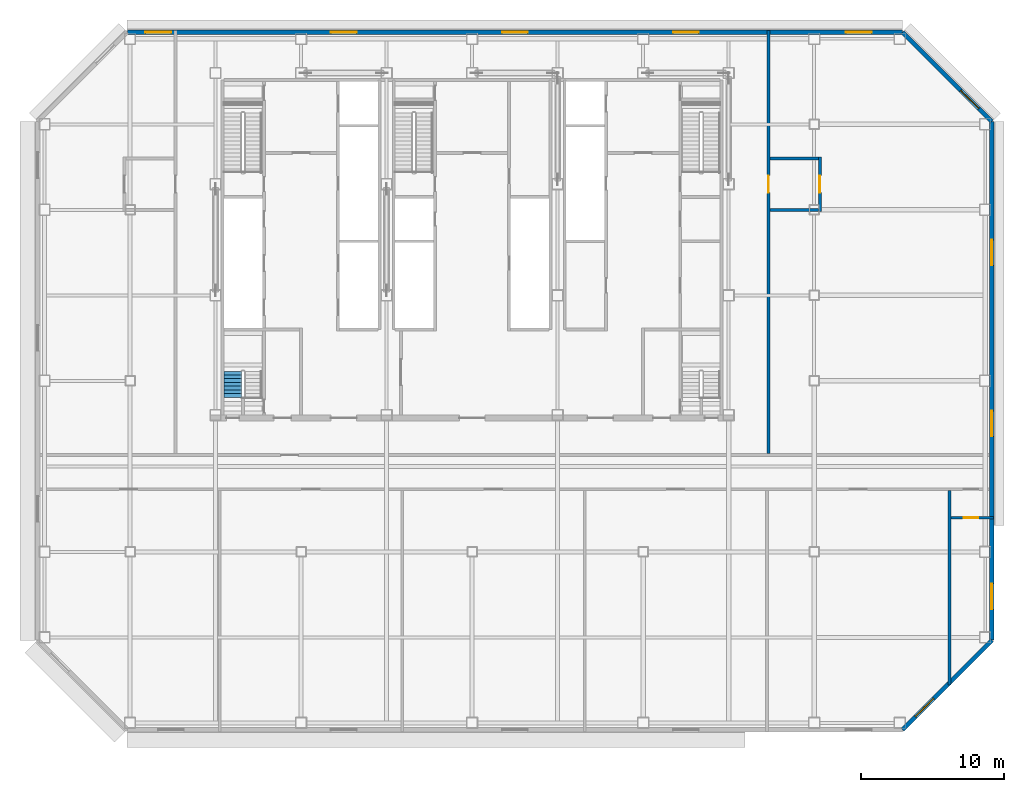
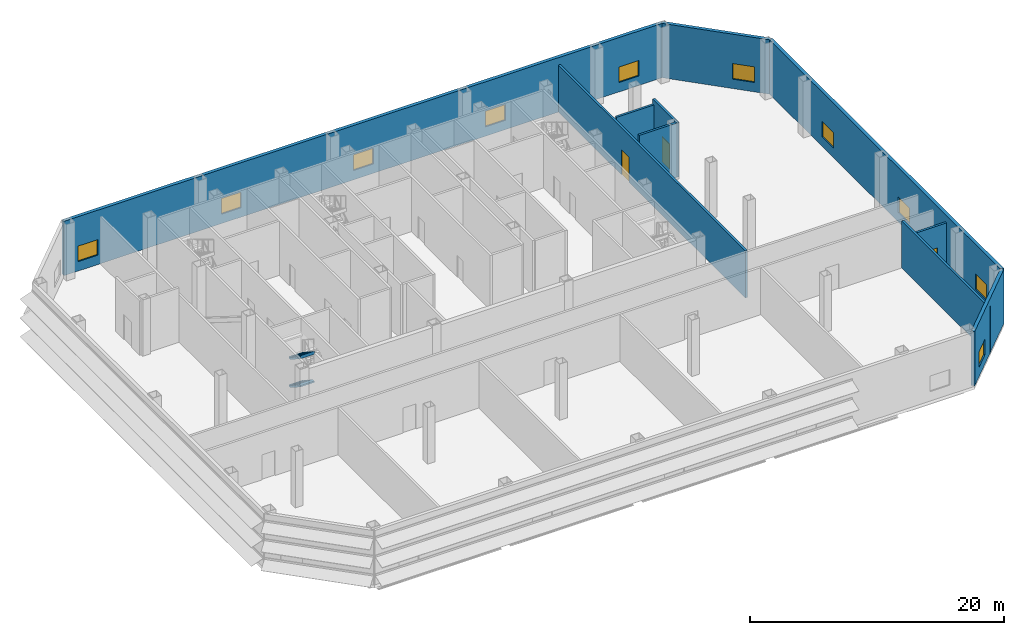
# One storey, part 6 of 10: 10 walls, 10 windows, 3 doors, 2 stair flights, 13 openings, 1 element without a shape of its own.
"""IFC4 building model written with IfcOpenShell, lengths in metres."""

from ifc_helpers import new_model, si_unit, direction, frame, frame_2d, origin, place, context, subcontext, project, spatial, polyline, rectangle, outline, extrude, material, layer, layer_set, type_object, element, fill, aggregate, save


model = new_model("IFC4")

# Units and contexts
model_context = context("Model", 3, precision=1e-05, world=origin(), true_north=direction((0.0, 1.0)))
body_context = subcontext(model_context, "Body", "Model", "MODEL_VIEW")
ifc_project = project(units=[si_unit("LENGTHUNIT", "METRE"), si_unit("AREAUNIT", "SQUARE_METRE"), si_unit("VOLUMEUNIT", "CUBIC_METRE"), si_unit("PLANEANGLEUNIT", "RADIAN"), si_unit("MASSUNIT", "GRAM", prefix="KILO")], contexts=[model_context])

# Site, building, storey
site_placement = place(None, origin())
site = spatial("IfcSite", under=ifc_project, at=site_placement, CompositionType="ELEMENT")
building_placement = place(site_placement, origin())
building = spatial("IfcBuilding", under=site, at=building_placement, Name="Sorahane Residences", CompositionType="ELEMENT")
storey_placement = place(building_placement, frame((0.0, 0.0, 138.39990234375)))
storey = spatial("IfcBuildingStorey", under=building, at=storey_placement, Name="L31", CompositionType="ELEMENT", Elevation=138.39990234375)

# Wall, opening, window
ifc_material_1 = material(Name="Graphite insulated metal-clad wall")
ifc_layer_1 = layer(ifc_material_1, 0.300048828125)
ifc_layer_set_1 = layer_set([ifc_layer_1], Name="External wall insulated metal-clad 300")
wall_type_1 = type_object("IfcWallType", Name="External wall insulated metal-clad 300", PredefinedType="SOLIDWALL", material=ifc_layer_set_1)
wall_1_placement = place(storey_placement, frame((54.194580078125, -0.469970703125, 0.0), z_axis=(0.0, 0.0, 1.0), x_axis=(0.707106781187, 0.707106781187, 0.0)))
wall_1 = element("IfcWall", 1, at=wall_1_placement, inside=storey, type_object=wall_type_1, Name="External plant wall L31 SE1", PredefinedType="SOLIDWALL", context=body_context, shape_type="SweptSolid", body=[
    extrude(rectangle(XDim=8.874755859375, YDim=0.300048828125, at=frame_2d((4.4375, 0.0))), origin(), (0.0, 0.0, 1.0), 5.22021484375),
])
opening_1_placement = place(wall_1_placement, frame((1.291748046875, 0.0, 0.89990234375)))
opening_1 = element("IfcOpeningElement", 2, at=opening_1_placement, cuts=wall_1, Name="Opening W-R1", PredefinedType="OPENING", context=body_context, shape_type="SweptSolid", body=[
    extrude(rectangle(XDim=1.800048828125, YDim=1.5, at=frame_2d((0.89990234375, 0.75))), frame((0.0, 0.159912109375, 0.0), z_axis=(0.0, -1.0, 0.0), x_axis=(1.0, 0.0, 0.0)), (0.0, 0.0, 1.0), 0.320068359375),
])
ifc_material_2 = material(Name="Dark aluminium and glass", Category="aluminium")
window_type = type_object("IfcWindowType", Name="Openable Class B fire window dark aluminium 1800x1500", PartitioningType="SINGLE_PANEL", PredefinedType="WINDOW", material=ifc_material_2)
window_1_placement = place(opening_1_placement, origin())
window_1 = element("IfcWindow", 3, at=window_1_placement, inside=storey, type_object=window_type, Name="Openable fire window L31 SE1.1", OverallHeight=1.5, OverallWidth=1.800048828125, PartitioningType="SINGLE_PANEL", PredefinedType="WINDOW", context=body_context, shape_type="SweptSolid", body=[
    extrude(rectangle(XDim=1.800048828125, YDim=1.5, at=frame_2d((0.89990234375, 0.75))), frame((0.0, 0.030029296875, 0.0), z_axis=(0.0, -1.0, 0.0), x_axis=(1.0, 0.0, 0.0)), (0.0, 0.0, 1.0), 0.06005859375),
])
fill(opening_1, window_1)

# Wall, openings, windows
wall_2_placement = place(storey_placement, frame((60.469970703125, 5.805419921875, 0.0), z_axis=(0.0, 0.0, 1.0), x_axis=(0.0, 1.0, 0.0)))
wall_2 = element("IfcWall", 4, at=wall_2_placement, inside=storey, type_object=wall_type_1, Name="External plant wall L31 E1", PredefinedType="SOLIDWALL", context=body_context, shape_type="SweptSolid", body=[
    extrude(rectangle(XDim=36.38916015625, YDim=0.300048828125, at=frame_2d((18.194580078125, 0.0))), origin(), (0.0, 0.0, 1.0), 5.22021484375),
])
opening_2_placement = place(wall_2_placement, frame((2.17041015625, 0.0, 0.89990234375)))
opening_2 = element("IfcOpeningElement", 5, at=opening_2_placement, cuts=wall_2, Name="Opening W-R1", PredefinedType="OPENING", context=body_context, shape_type="SweptSolid", body=[
    extrude(rectangle(XDim=1.800048828125, YDim=1.5, at=frame_2d((0.89990234375, 0.75))), frame((0.0, 0.159912109375, 0.0), z_axis=(0.0, -1.0, 0.0), x_axis=(1.0, 0.0, 0.0)), (0.0, 0.0, 1.0), 0.320068359375),
])
opening_3_placement = place(wall_2_placement, frame((14.294677734375, 0.0, 0.89990234375)))
opening_3 = element("IfcOpeningElement", 6, at=opening_3_placement, cuts=wall_2, Name="Opening W-R1", PredefinedType="OPENING", context=body_context, shape_type="SweptSolid", body=[
    extrude(rectangle(XDim=1.800048828125, YDim=1.5, at=frame_2d((0.89990234375, 0.75))), frame((0.0, 0.159912109375, 0.0), z_axis=(0.0, -1.0, 0.0), x_axis=(1.0, 0.0, 0.0)), (0.0, 0.0, 1.0), 0.320068359375),
])
opening_4_placement = place(wall_2_placement, frame((26.294677734375, 0.0, 0.89990234375)))
opening_4 = element("IfcOpeningElement", 7, at=opening_4_placement, cuts=wall_2, Name="Opening W-R1", PredefinedType="OPENING", context=body_context, shape_type="SweptSolid", body=[
    extrude(rectangle(XDim=1.800048828125, YDim=1.5, at=frame_2d((0.89990234375, 0.75))), frame((0.0, 0.159912109375, 0.0), z_axis=(0.0, -1.0, 0.0), x_axis=(1.0, 0.0, 0.0)), (0.0, 0.0, 1.0), 0.320068359375),
])
window_2_placement = place(opening_2_placement, origin())
window_2 = element("IfcWindow", 8, at=window_2_placement, inside=storey, type_object=window_type, Name="Openable fire window L31 E1.1", OverallHeight=1.5, OverallWidth=1.800048828125, PartitioningType="SINGLE_PANEL", PredefinedType="WINDOW", context=body_context, shape_type="SweptSolid", body=[
    extrude(rectangle(XDim=1.800048828125, YDim=1.5, at=frame_2d((0.89990234375, 0.75))), frame((0.0, 0.030029296875, 0.0), z_axis=(0.0, -1.0, 0.0), x_axis=(1.0, 0.0, 0.0)), (0.0, 0.0, 1.0), 0.06005859375),
])
fill(opening_2, window_2)
window_3_placement = place(opening_3_placement, origin())
window_3 = element("IfcWindow", 9, at=window_3_placement, inside=storey, type_object=window_type, Name="Openable fire window L31 E1.3", OverallHeight=1.5, OverallWidth=1.800048828125, PartitioningType="SINGLE_PANEL", PredefinedType="WINDOW", context=body_context, shape_type="SweptSolid", body=[
    extrude(rectangle(XDim=1.800048828125, YDim=1.5, at=frame_2d((0.89990234375, 0.75))), frame((0.0, 0.030029296875, 0.0), z_axis=(0.0, -1.0, 0.0), x_axis=(1.0, 0.0, 0.0)), (0.0, 0.0, 1.0), 0.06005859375),
])
fill(opening_3, window_3)
window_4_placement = place(opening_4_placement, origin())
window_4 = element("IfcWindow", 10, at=window_4_placement, inside=storey, type_object=window_type, Name="Openable fire window L31 E1.5", OverallHeight=1.5, OverallWidth=1.800048828125, PartitioningType="SINGLE_PANEL", PredefinedType="WINDOW", context=body_context, shape_type="SweptSolid", body=[
    extrude(rectangle(XDim=1.800048828125, YDim=1.5, at=frame_2d((0.89990234375, 0.75))), frame((0.0, 0.030029296875, 0.0), z_axis=(0.0, -1.0, 0.0), x_axis=(1.0, 0.0, 0.0)), (0.0, 0.0, 1.0), 0.06005859375),
])
fill(opening_4, window_4)

# Wall, opening, window
wall_3_placement = place(storey_placement, frame((60.469970703125, 42.194580078125, 0.0), z_axis=(0.0, 0.0, 1.0), x_axis=(-0.707106781187, 0.707106781187, 0.0)))
wall_3 = element("IfcWall", 11, at=wall_3_placement, inside=storey, type_object=wall_type_1, Name="External plant wall L31 NE1", PredefinedType="SOLIDWALL", context=body_context, shape_type="SweptSolid", body=[
    extrude(rectangle(XDim=8.874755859375, YDim=0.300048828125, at=frame_2d((4.4375, 0.0))), origin(), (0.0, 0.0, 1.0), 5.22021484375),
])
opening_5_placement = place(wall_3_placement, frame((1.291748046875, 0.0, 0.89990234375)))
opening_5 = element("IfcOpeningElement", 12, at=opening_5_placement, cuts=wall_3, Name="Opening W-R1", PredefinedType="OPENING", context=body_context, shape_type="SweptSolid", body=[
    extrude(rectangle(XDim=1.800048828125, YDim=1.5, at=frame_2d((0.89990234375, 0.75))), frame((0.0, 0.159912109375, 0.0), z_axis=(0.0, -1.0, 0.0), x_axis=(1.0, 0.0, 0.0)), (0.0, 0.0, 1.0), 0.320068359375),
])
window_5_placement = place(opening_5_placement, origin())
window_5 = element("IfcWindow", 13, at=window_5_placement, inside=storey, type_object=window_type, Name="Openable fire window L31 NE1.1", OverallHeight=1.5, OverallWidth=1.800048828125, PartitioningType="SINGLE_PANEL", PredefinedType="WINDOW", context=body_context, shape_type="SweptSolid", body=[
    extrude(rectangle(XDim=1.800048828125, YDim=1.5, at=frame_2d((0.89990234375, 0.75))), frame((0.0, 0.030029296875, 0.0), z_axis=(0.0, -1.0, 0.0), x_axis=(1.0, 0.0, 0.0)), (0.0, 0.0, 1.0), 0.06005859375),
])
fill(opening_5, window_5)

# Wall, openings, windows
wall_4_placement = place(storey_placement, frame((54.194580078125, 48.469970703125, 0.0), z_axis=(0.0, 0.0, 1.0), x_axis=(-1.0, 0.0, 0.0)))
wall_4 = element("IfcWall", 14, at=wall_4_placement, inside=storey, type_object=wall_type_1, Name="External plant wall L31 N1", PredefinedType="SOLIDWALL", context=body_context, shape_type="SweptSolid", body=[
    extrude(rectangle(XDim=54.38916015625, YDim=0.300048828125, at=frame_2d((27.194580078125, 0.0))), origin(), (0.0, 0.0, 1.0), 5.22021484375),
])
opening_6_placement = place(wall_4_placement, frame((2.17041015625, 0.0, 0.89990234375)))
opening_6 = element("IfcOpeningElement", 15, at=opening_6_placement, cuts=wall_4, Name="Opening W-R1", PredefinedType="OPENING", context=body_context, shape_type="SweptSolid", body=[
    extrude(rectangle(XDim=1.800048828125, YDim=1.5, at=frame_2d((0.89990234375, 0.75))), frame((0.0, 0.159912109375, 0.0), z_axis=(0.0, -1.0, 0.0), x_axis=(1.0, 0.0, 0.0)), (0.0, 0.0, 1.0), 0.320068359375),
])
opening_7_placement = place(wall_4_placement, frame((14.294677734375, 0.0, 0.89990234375)))
opening_7 = element("IfcOpeningElement", 16, at=opening_7_placement, cuts=wall_4, Name="Opening W-R1", PredefinedType="OPENING", context=body_context, shape_type="SweptSolid", body=[
    extrude(rectangle(XDim=1.800048828125, YDim=1.5, at=frame_2d((0.89990234375, 0.75))), frame((0.0, 0.159912109375, 0.0), z_axis=(0.0, -1.0, 0.0), x_axis=(1.0, 0.0, 0.0)), (0.0, 0.0, 1.0), 0.320068359375),
])
opening_8_placement = place(wall_4_placement, frame((26.294677734375, 0.0, 0.89990234375)))
opening_8 = element("IfcOpeningElement", 17, at=opening_8_placement, cuts=wall_4, Name="Opening W-R1", PredefinedType="OPENING", context=body_context, shape_type="SweptSolid", body=[
    extrude(rectangle(XDim=1.800048828125, YDim=1.5, at=frame_2d((0.89990234375, 0.75))), frame((0.0, 0.159912109375, 0.0), z_axis=(0.0, -1.0, 0.0), x_axis=(1.0, 0.0, 0.0)), (0.0, 0.0, 1.0), 0.320068359375),
])
opening_9_placement = place(wall_4_placement, frame((38.294677734375, 0.0, 0.89990234375)))
opening_9 = element("IfcOpeningElement", 18, at=opening_9_placement, cuts=wall_4, Name="Opening W-R1", PredefinedType="OPENING", context=body_context, shape_type="SweptSolid", body=[
    extrude(rectangle(XDim=1.800048828125, YDim=1.5, at=frame_2d((0.89990234375, 0.75))), frame((0.0, 0.159912109375, 0.0), z_axis=(0.0, -1.0, 0.0), x_axis=(1.0, 0.0, 0.0)), (0.0, 0.0, 1.0), 0.320068359375),
])
opening_10_placement = place(wall_4_placement, frame((51.31884765625, 0.0, 0.89990234375)))
opening_10 = element("IfcOpeningElement", 19, at=opening_10_placement, cuts=wall_4, Name="Opening W-R1", PredefinedType="OPENING", context=body_context, shape_type="SweptSolid", body=[
    extrude(rectangle(XDim=1.800048828125, YDim=1.5, at=frame_2d((0.89990234375, 0.75))), frame((0.0, 0.159912109375, 0.0), z_axis=(0.0, -1.0, 0.0), x_axis=(1.0, 0.0, 0.0)), (0.0, 0.0, 1.0), 0.320068359375),
])
window_6_placement = place(opening_6_placement, origin())
window_6 = element("IfcWindow", 20, at=window_6_placement, inside=storey, type_object=window_type, Name="Openable fire window L31 N1.1", OverallHeight=1.5, OverallWidth=1.800048828125, PartitioningType="SINGLE_PANEL", PredefinedType="WINDOW", context=body_context, shape_type="SweptSolid", body=[
    extrude(rectangle(XDim=1.800048828125, YDim=1.5, at=frame_2d((0.89990234375, 0.75))), frame((0.0, 0.030029296875, 0.0), z_axis=(0.0, -1.0, 0.0), x_axis=(1.0, 0.0, 0.0)), (0.0, 0.0, 1.0), 0.06005859375),
])
fill(opening_6, window_6)
window_7_placement = place(opening_7_placement, origin())
window_7 = element("IfcWindow", 21, at=window_7_placement, inside=storey, type_object=window_type, Name="Openable fire window L31 N1.3", OverallHeight=1.5, OverallWidth=1.800048828125, PartitioningType="SINGLE_PANEL", PredefinedType="WINDOW", context=body_context, shape_type="SweptSolid", body=[
    extrude(rectangle(XDim=1.800048828125, YDim=1.5, at=frame_2d((0.89990234375, 0.75))), frame((0.0, 0.030029296875, 0.0), z_axis=(0.0, -1.0, 0.0), x_axis=(1.0, 0.0, 0.0)), (0.0, 0.0, 1.0), 0.06005859375),
])
fill(opening_7, window_7)
window_8_placement = place(opening_8_placement, origin())
window_8 = element("IfcWindow", 22, at=window_8_placement, inside=storey, type_object=window_type, Name="Openable fire window L31 N1.5", OverallHeight=1.5, OverallWidth=1.800048828125, PartitioningType="SINGLE_PANEL", PredefinedType="WINDOW", context=body_context, shape_type="SweptSolid", body=[
    extrude(rectangle(XDim=1.800048828125, YDim=1.5, at=frame_2d((0.89990234375, 0.75))), frame((0.0, 0.030029296875, 0.0), z_axis=(0.0, -1.0, 0.0), x_axis=(1.0, 0.0, 0.0)), (0.0, 0.0, 1.0), 0.06005859375),
])
fill(opening_8, window_8)
window_9_placement = place(opening_9_placement, origin())
window_9 = element("IfcWindow", 23, at=window_9_placement, inside=storey, type_object=window_type, Name="Openable fire window L31 N1.7", OverallHeight=1.5, OverallWidth=1.800048828125, PartitioningType="SINGLE_PANEL", PredefinedType="WINDOW", context=body_context, shape_type="SweptSolid", body=[
    extrude(rectangle(XDim=1.800048828125, YDim=1.5, at=frame_2d((0.89990234375, 0.75))), frame((0.0, 0.030029296875, 0.0), z_axis=(0.0, -1.0, 0.0), x_axis=(1.0, 0.0, 0.0)), (0.0, 0.0, 1.0), 0.06005859375),
])
fill(opening_9, window_9)
window_10_placement = place(opening_10_placement, origin())
window_10 = element("IfcWindow", 24, at=window_10_placement, inside=storey, type_object=window_type, Name="Openable fire window L31 N1.9", OverallHeight=1.5, OverallWidth=1.800048828125, PartitioningType="SINGLE_PANEL", PredefinedType="WINDOW", context=body_context, shape_type="SweptSolid", body=[
    extrude(rectangle(XDim=1.800048828125, YDim=1.5, at=frame_2d((0.89990234375, 0.75))), frame((0.0, 0.030029296875, 0.0), z_axis=(0.0, -1.0, 0.0), x_axis=(1.0, 0.0, 0.0)), (0.0, 0.0, 1.0), 0.06005859375),
])
fill(opening_10, window_10)

# Wall, opening, door
ifc_material_3 = material(Name="Concrete blockwork C20 wall", Category="masonry")
ifc_layer_2 = layer(ifc_material_3, 0.199951171875)
ifc_layer_set_2 = layer_set([ifc_layer_2], Name="Fire wall 200 EI 120")
wall_type_2 = type_object("IfcWallType", Name="Fire wall 200 EI 120", PredefinedType="SOLIDWALL", material=ifc_layer_set_2)
wall_5_placement = place(storey_placement, frame((44.800048828125, 18.89990234375, 0.0), z_axis=(0.0, 0.0, 1.0), x_axis=(0.0, 1.0, 0.0)))
wall_5 = element("IfcWall", 25, at=wall_5_placement, inside=storey, type_object=wall_type_2, Name="L31 fire wall", PredefinedType="SOLIDWALL", context=body_context, shape_type="SweptSolid", body=[
    extrude(rectangle(XDim=29.7001953125, YDim=0.199951171875, at=frame_2d((14.85009765625, 0.0))), origin(), (0.0, 0.0, 1.0), 4.52001953125),
])
opening_11_placement = place(wall_5_placement, frame((18.300048828125, 0.0, 0.0)))
opening_11 = element("IfcOpeningElement", 26, at=opening_11_placement, cuts=wall_5, Name="Opening L31-10", PredefinedType="OPENING", context=body_context, shape_type="SweptSolid", body=[
    extrude(rectangle(XDim=1.199951171875, YDim=2.39990234375, at=frame_2d((0.60009765625, 1.199951171875))), frame((0.0, 0.10986328125, 0.0), z_axis=(0.0, -1.0, 0.0), x_axis=(1.0, 0.0, 0.0)), (0.0, 0.0, 1.0), 0.219970703125),
])
ifc_material_4 = material(Name="Steel", Category="steel")
door_type_1 = type_object("IfcDoorType", Name="Lobby door 1200x2400 FD60", OperationType="NOTDEFINED", PredefinedType="DOOR", material=ifc_material_4)
door_1_placement = place(opening_11_placement, origin())
door_1 = element("IfcDoor", 27, at=door_1_placement, inside=storey, type_object=door_type_1, Name="Lobby door L31-10", OperationType="SINGLE_SWING_RIGHT", OverallHeight=2.39990234375, OverallWidth=1.199951171875, PredefinedType="DOOR", context=body_context, shape_type="SweptSolid", body=[
    extrude(rectangle(XDim=1.199951171875, YDim=2.39990234375, at=frame_2d((0.60009765625, 1.199951171875))), frame((0.0, 0.02490234375, 0.0), z_axis=(0.0, -1.0, 0.0), x_axis=(1.0, 0.0, 0.0)), (0.0, 0.0, 1.0), 0.050048828125),
])
fill(opening_11, door_1)

wall_6_placement = place(storey_placement, frame((48.39990234375, 35.89990234375, 0.0), z_axis=(0.0, 0.0, 1.0), x_axis=(0.0, 1.0, 0.0)))
wall_6 = element("IfcWall", 28, at=wall_6_placement, inside=storey, type_object=wall_type_2, Name="L31 fire wall", PredefinedType="SOLIDWALL", context=body_context, shape_type="SweptSolid", body=[
    extrude(rectangle(XDim=3.800048828125, YDim=0.199951171875, at=frame_2d((1.89990234375, 0.0))), origin(), (0.0, 0.0, 1.0), 5.22021484375),
])
opening_12_placement = place(wall_6_placement, frame((1.300048828125, 0.0, 0.0)))
opening_12 = element("IfcOpeningElement", 29, at=opening_12_placement, cuts=wall_6, Name="Opening L31-09", PredefinedType="OPENING", context=body_context, shape_type="SweptSolid", body=[
    extrude(rectangle(XDim=1.199951171875, YDim=2.39990234375, at=frame_2d((0.60009765625, 1.199951171875))), frame((0.0, 0.10986328125, 0.0), z_axis=(0.0, -1.0, 0.0), x_axis=(1.0, 0.0, 0.0)), (0.0, 0.0, 1.0), 0.219970703125),
])
door_2_placement = place(opening_12_placement, origin())
door_2 = element("IfcDoor", 30, at=door_2_placement, inside=storey, type_object=door_type_1, Name="Lobby door L31-09", OperationType="SINGLE_SWING_LEFT", OverallHeight=2.39990234375, OverallWidth=1.199951171875, PredefinedType="DOOR", context=body_context, shape_type="SweptSolid", body=[
    extrude(rectangle(XDim=1.199951171875, YDim=2.39990234375, at=frame_2d((0.60009765625, 1.199951171875))), frame((0.0, 0.02490234375, 0.0), z_axis=(0.0, -1.0, 0.0), x_axis=(1.0, 0.0, 0.0)), (0.0, 0.0, 1.0), 0.050048828125),
])
fill(opening_12, door_2)

# Wall
wall_7_placement = place(storey_placement, frame((57.5, 2.65087890625, 0.0), z_axis=(0.0, 0.0, 1.0), x_axis=(0.0, 1.0, 0.0)))
element("IfcWall", 31, at=wall_7_placement, inside=storey, type_object=wall_type_2, Name="L31 fire wall", PredefinedType="SOLIDWALL", context=body_context, shape_type="SweptSolid", body=[
    extrude(rectangle(XDim=13.649169921875, YDim=0.199951171875, at=frame_2d((6.82470703125, 0.0))), origin(), (0.0, 0.0, 1.0), 4.52001953125),
])

# Wall, opening, door
wall_8_placement = place(storey_placement, frame((57.60009765625, 14.39990234375, 0.0), z_axis=(0.0, 0.0, 1.0), x_axis=(1.0, 0.0, 0.0)))
wall_8 = element("IfcWall", 32, at=wall_8_placement, inside=storey, type_object=wall_type_2, Name="L31 fire wall", PredefinedType="SOLIDWALL", context=body_context, shape_type="SweptSolid", body=[
    extrude(rectangle(XDim=3.0, YDim=0.199951171875, at=frame_2d((1.5, 0.0))), origin(), (0.0, 0.0, 1.0), 4.52001953125),
])
opening_13_placement = place(wall_8_placement, frame((0.89990234375, 0.0, 0.0)))
opening_13 = element("IfcOpeningElement", 33, at=opening_13_placement, cuts=wall_8, Name="Opening L31-07", PredefinedType="OPENING", context=body_context, shape_type="SweptSolid", body=[
    extrude(rectangle(XDim=1.0, YDim=2.39990234375, at=frame_2d((0.5, 1.199951171875))), frame((0.0, 0.10986328125, 0.0), z_axis=(0.0, -1.0, 0.0), x_axis=(1.0, 0.0, 0.0)), (0.0, 0.0, 1.0), 0.219970703125),
])
ifc_material_5 = material(Name="Steel", Category="steel")
door_type_2 = type_object("IfcDoorType", Name="Fire door 1000x2400 FD60", OperationType="NOTDEFINED", PredefinedType="DOOR", material=ifc_material_5)
door_3_placement = place(opening_13_placement, frame((1.0, 0.0, 0.0), z_axis=(0.0, 0.0, 1.0), x_axis=(-1.0, 0.0, 0.0)))
door_3 = element("IfcDoor", 34, at=door_3_placement, inside=storey, type_object=door_type_2, Name="Fire door L31-07", OperationType="SINGLE_SWING_RIGHT", OverallHeight=2.39990234375, OverallWidth=1.0, PredefinedType="DOOR", context=body_context, shape_type="SweptSolid", body=[
    extrude(rectangle(XDim=1.0, YDim=2.39990234375, at=frame_2d((0.5, 1.199951171875))), frame((0.0, 0.02490234375, 0.0), z_axis=(0.0, -1.0, 0.0), x_axis=(1.0, 0.0, 0.0)), (0.0, 0.0, 1.0), 0.050048828125),
])
fill(opening_13, door_3)

# Walls
wall_9_placement = place(storey_placement, frame((44.89990234375, 36.0, 0.0), z_axis=(0.0, 0.0, 1.0), x_axis=(1.0, 0.0, 0.0)))
element("IfcWall", 35, at=wall_9_placement, inside=storey, type_object=wall_type_2, Name="L31 fire wall", PredefinedType="SOLIDWALL", context=body_context, shape_type="SweptSolid", body=[
    extrude(rectangle(XDim=3.400146484375, YDim=0.199951171875, at=frame_2d((1.7001953125, 0.0))), origin(), (0.0, 0.0, 1.0), 5.22021484375),
])
wall_10_placement = place(storey_placement, frame((44.89990234375, 39.60009765625, 0.0), z_axis=(0.0, 0.0, 1.0), x_axis=(1.0, 0.0, 0.0)))
element("IfcWall", 36, at=wall_10_placement, inside=storey, type_object=wall_type_2, Name="L31 fire wall", PredefinedType="SOLIDWALL", context=body_context, shape_type="SweptSolid", body=[
    extrude(rectangle(XDim=3.400146484375, YDim=0.199951171875, at=frame_2d((1.7001953125, 0.0))), origin(), (0.0, 0.0, 1.0), 4.77001953125),
])

# Stair, stair flights
ifc_material_6 = material(Name="Concrete C40", Category="concrete")
stair_type = type_object("IfcStairType", Name="Dog-leg stair 1250 Concrete C40", PredefinedType="HALF_TURN_STAIR", material=ifc_material_6)
stair_placement = place(storey_placement, origin())
stair = element("IfcStair", 37, at=stair_placement, inside=storey, type_object=stair_type, Name="L31 Stair S4", PredefinedType="HALF_TURN_STAIR")
ifc_material_7 = material(Name="Concrete C40", Category="concrete")
stair_flight_type = type_object("IfcStairFlightType", Name="Stair flight 1250 Concrete C40", PredefinedType="STRAIGHT", material=ifc_material_7)
stair_flight_1_placement = place(storey_placement, frame((7.22509765625, 24.669921875, 1.35009765625), z_axis=(0.0, 0.0, 1.0), x_axis=(0.0, -1.0, 0.0)))
stair_flight_1 = element("IfcStairFlight", 38, at=stair_flight_1_placement, type_object=stair_flight_type, Name="S4 flight 2", NumberOfRisers=8, NumberOfTreads=7, PredefinedType="STRAIGHT", RiserHeight=0.16875, TreadLength=0.26, context=body_context, shape_type="SweptSolid", body=[
    extrude(outline(polyline([(0.0, 0.0), (0.0, 0.002197265625), (0.0, 0.004150390625), (0.0, 0.00634765625), (0.0, 0.00830078125), (0.0, 0.010498046875), (0.0, 0.012451171875), (0.0, 0.0146484375), (0.0, 0.0166015625), (0.0, 0.018798828125), (0.0, 0.020751953125), (0.0, 0.02294921875), (0.0, 0.02490234375), (0.0, 0.027099609375), (0.0, 0.029052734375), (0.0, 0.03125), (0.0, 0.033447265625), (0.0, 0.035400390625), (0.0, 0.03759765625), (0.0, 0.03955078125), (0.0, 0.041748046875), (0.0, 0.043701171875), (0.0, 0.0458984375), (0.0, 0.0478515625), (0.0, 0.050048828125), (0.0, 0.052001953125), (0.0, 0.05419921875), (0.0, 0.05615234375), (0.0, 0.058349609375), (0.0, 0.060302734375), (0.0, 0.0625), (0.0, 0.064697265625), (0.0, 0.066650390625), (0.0, 0.06884765625), (0.0, 0.07080078125), (0.0, 0.072998046875), (0.0, 0.074951171875), (0.0, 0.0771484375), (0.0, 0.0791015625), (0.0, 0.081298828125), (0.0, 0.083251953125), (0.0, 0.08544921875), (0.0, 0.08740234375), (0.0, 0.089599609375), (0.0, 0.091552734375), (0.0, 0.09375), (0.0, 0.095947265625), (0.0, 0.097900390625), (0.0, 0.10009765625), (0.0, 0.10205078125), (0.0, 0.104248046875), (0.0, 0.106201171875), (0.0, 0.1083984375), (0.0, 0.1103515625), (0.0, 0.112548828125), (0.0, 0.114501953125), (0.0, 0.11669921875), (0.0, 0.11865234375), (0.0, 0.120849609375), (0.0, 0.122802734375), (0.0, 0.125), (0.0, 0.127197265625), (0.0, 0.129150390625), (0.0, 0.13134765625), (0.0, 0.13330078125), (0.0, 0.135498046875), (0.0, 0.137451171875), (0.0, 0.1396484375), (0.0, 0.1416015625), (0.0, 0.143798828125), (0.0, 0.145751953125), (0.0, 0.14794921875), (0.0, 0.14990234375), (0.0, 0.152099609375), (0.0, 0.154052734375), (0.0, 0.15625), (0.0, 0.158447265625), (0.0, 0.160400390625), (0.0, 0.16259765625), (0.0, 0.16455078125), (0.0, 0.166748046875), (0.0, 0.168701171875), (0.260009765625, 0.168701171875), (0.260009765625, 0.33740234375), (0.52001953125, 0.33740234375), (0.52001953125, 0.50634765625), (0.780029296875, 0.50634765625), (0.780029296875, 0.675048828125), (1.0400390625, 0.675048828125), (1.0400390625, 0.84375), (1.300048828125, 0.84375), (1.300048828125, 1.012451171875), (1.56005859375, 1.012451171875), (1.56005859375, 1.18115234375), (1.820068359375, 1.18115234375), (1.820068359375, 1.35009765625), (1.820068359375, 1.34619140625), (1.820068359375, 1.34228515625), (1.820068359375, 1.33837890625), (1.820068359375, 1.334716796875), (1.820068359375, 1.330810546875), (1.820068359375, 1.326904296875), (1.820068359375, 1.322998046875), (1.820068359375, 1.319091796875), (1.820068359375, 1.3154296875), (1.820068359375, 1.3115234375), (1.820068359375, 1.3076171875), (1.820068359375, 1.3037109375), (1.820068359375, 1.300048828125), (1.820068359375, 1.296142578125), (1.820068359375, 1.292236328125), (1.820068359375, 1.288330078125), (1.820068359375, 1.284423828125), (1.820068359375, 1.28076171875), (1.820068359375, 1.27685546875), (1.820068359375, 1.27294921875), (1.820068359375, 1.26904296875), (1.820068359375, 1.265380859375), (1.820068359375, 1.261474609375), (1.820068359375, 1.257568359375), (1.820068359375, 1.253662109375), (1.820068359375, 1.249755859375), (1.820068359375, 1.24609375), (1.820068359375, 1.2421875), (1.820068359375, 1.23828125), (1.820068359375, 1.234375), (1.820068359375, 1.230712890625), (1.820068359375, 1.226806640625), (1.820068359375, 1.222900390625), (1.820068359375, 1.218994140625), (1.820068359375, 1.215087890625), (1.820068359375, 1.21142578125), (1.820068359375, 1.20751953125), (1.820068359375, 1.20361328125), (1.820068359375, 1.19970703125), (1.820068359375, 1.196044921875), (1.820068359375, 1.192138671875), (1.820068359375, 1.188232421875), (1.820068359375, 1.184326171875), (1.820068359375, 1.1806640625), (1.820068359375, 1.1767578125), (1.820068359375, 1.1728515625), (1.820068359375, 1.1689453125), (1.820068359375, 1.1650390625), (1.820068359375, 1.161376953125), (1.820068359375, 1.157470703125), (1.820068359375, 1.153564453125), (1.820068359375, 1.149658203125), (1.820068359375, 1.14599609375), (1.820068359375, 1.14208984375), (1.820068359375, 1.13818359375), (1.820068359375, 1.13427734375), (1.820068359375, 1.13037109375), (1.820068359375, 1.126708984375), (1.820068359375, 1.122802734375), (1.820068359375, 1.118896484375), (1.820068359375, 1.114990234375), (1.820068359375, 1.111328125), (1.820068359375, 1.107421875), (1.820068359375, 1.103515625), (1.820068359375, 1.099609375), (1.820068359375, 1.095703125), (1.820068359375, 1.092041015625), (1.820068359375, 1.088134765625), (1.820068359375, 1.084228515625), (1.820068359375, 1.080322265625), (1.820068359375, 1.07666015625), (1.820068359375, 1.07275390625), (1.820068359375, 1.06884765625), (1.820068359375, 1.06494140625), (1.820068359375, 1.061279296875), (1.820068359375, 1.057373046875), (1.820068359375, 1.053466796875), (1.820068359375, 1.049560546875), (1.820068359375, 1.045654296875), (1.820068359375, 1.0419921875), (1.820068359375, 1.0380859375), (1.6201171875, 0.908203125), (1.420166015625, 0.778564453125), (1.22021484375, 0.648681640625), (1.020263671875, 0.51904296875), (0.8203125, 0.38916015625), (0.620361328125, 0.259521484375), (0.420654296875, 0.129638671875), (0.220703125, 0.0), (0.0, 0.0)])), frame((0.0, 0.625, 0.0), z_axis=(0.0, -1.0, 0.0), x_axis=(1.0, 0.0, 0.0)), (0.0, 0.0, 1.0), 1.25),
])
stair_flight_2_placement = place(storey_placement, frame((7.22509765625, 24.669921875, 4.050048828125), z_axis=(0.0, 0.0, 1.0), x_axis=(0.0, -1.0, 0.0)))
stair_flight_2 = element("IfcStairFlight", 39, at=stair_flight_2_placement, type_object=stair_flight_type, Name="S4 flight 4", NumberOfRisers=8, NumberOfTreads=7, PredefinedType="STRAIGHT", RiserHeight=0.16875, TreadLength=0.26, context=body_context, shape_type="SweptSolid", body=[
    extrude(outline(polyline([(0.0, 0.0), (0.0, 0.002197265625), (0.0, 0.004150390625), (0.0, 0.00634765625), (0.0, 0.00830078125), (0.0, 0.010498046875), (0.0, 0.012451171875), (0.0, 0.0146484375), (0.0, 0.0166015625), (0.0, 0.018798828125), (0.0, 0.020751953125), (0.0, 0.02294921875), (0.0, 0.02490234375), (0.0, 0.027099609375), (0.0, 0.029052734375), (0.0, 0.03125), (0.0, 0.033447265625), (0.0, 0.035400390625), (0.0, 0.03759765625), (0.0, 0.03955078125), (0.0, 0.041748046875), (0.0, 0.043701171875), (0.0, 0.0458984375), (0.0, 0.0478515625), (0.0, 0.050048828125), (0.0, 0.052001953125), (0.0, 0.05419921875), (0.0, 0.05615234375), (0.0, 0.058349609375), (0.0, 0.060302734375), (0.0, 0.0625), (0.0, 0.064697265625), (0.0, 0.066650390625), (0.0, 0.06884765625), (0.0, 0.07080078125), (0.0, 0.072998046875), (0.0, 0.074951171875), (0.0, 0.0771484375), (0.0, 0.0791015625), (0.0, 0.081298828125), (0.0, 0.083251953125), (0.0, 0.08544921875), (0.0, 0.08740234375), (0.0, 0.089599609375), (0.0, 0.091552734375), (0.0, 0.09375), (0.0, 0.095947265625), (0.0, 0.097900390625), (0.0, 0.10009765625), (0.0, 0.10205078125), (0.0, 0.104248046875), (0.0, 0.106201171875), (0.0, 0.1083984375), (0.0, 0.1103515625), (0.0, 0.112548828125), (0.0, 0.114501953125), (0.0, 0.11669921875), (0.0, 0.11865234375), (0.0, 0.120849609375), (0.0, 0.122802734375), (0.0, 0.125), (0.0, 0.127197265625), (0.0, 0.129150390625), (0.0, 0.13134765625), (0.0, 0.13330078125), (0.0, 0.135498046875), (0.0, 0.137451171875), (0.0, 0.1396484375), (0.0, 0.1416015625), (0.0, 0.143798828125), (0.0, 0.145751953125), (0.0, 0.14794921875), (0.0, 0.14990234375), (0.0, 0.152099609375), (0.0, 0.154052734375), (0.0, 0.15625), (0.0, 0.158447265625), (0.0, 0.160400390625), (0.0, 0.16259765625), (0.0, 0.16455078125), (0.0, 0.166748046875), (0.0, 0.168701171875), (0.260009765625, 0.168701171875), (0.260009765625, 0.33740234375), (0.52001953125, 0.33740234375), (0.52001953125, 0.50634765625), (0.780029296875, 0.50634765625), (0.780029296875, 0.675048828125), (1.0400390625, 0.675048828125), (1.0400390625, 0.84375), (1.300048828125, 0.84375), (1.300048828125, 1.012451171875), (1.56005859375, 1.012451171875), (1.56005859375, 1.18115234375), (1.820068359375, 1.18115234375), (1.820068359375, 1.35009765625), (1.821533203125, 1.35009765625), (1.821533203125, 1.34619140625), (1.821533203125, 1.34228515625), (1.821533203125, 1.33837890625), (1.821533203125, 1.334716796875), (1.821533203125, 1.330810546875), (1.821533203125, 1.326904296875), (1.821533203125, 1.322998046875), (1.821533203125, 1.319091796875), (1.821533203125, 1.3154296875), (1.821533203125, 1.3115234375), (1.821533203125, 1.3076171875), (1.821533203125, 1.3037109375), (1.821533203125, 1.300048828125), (1.821533203125, 1.296142578125), (1.821533203125, 1.292236328125), (1.821533203125, 1.288330078125), (1.821533203125, 1.284423828125), (1.821533203125, 1.28076171875), (1.821533203125, 1.27685546875), (1.821533203125, 1.27294921875), (1.821533203125, 1.26904296875), (1.821533203125, 1.265380859375), (1.821533203125, 1.261474609375), (1.821533203125, 1.257568359375), (1.821533203125, 1.253662109375), (1.821533203125, 1.249755859375), (1.821533203125, 1.24609375), (1.821533203125, 1.2421875), (1.821533203125, 1.23828125), (1.821533203125, 1.234375), (1.821533203125, 1.230712890625), (1.821533203125, 1.226806640625), (1.821533203125, 1.222900390625), (1.821533203125, 1.218994140625), (1.821533203125, 1.215087890625), (1.821533203125, 1.21142578125), (1.821533203125, 1.20751953125), (1.821533203125, 1.20361328125), (1.821533203125, 1.19970703125), (1.821533203125, 1.196044921875), (1.821533203125, 1.192138671875), (1.821533203125, 1.188232421875), (1.821533203125, 1.184326171875), (1.821533203125, 1.1806640625), (1.821533203125, 1.1767578125), (1.821533203125, 1.1728515625), (1.821533203125, 1.1689453125), (1.821533203125, 1.1650390625), (1.821533203125, 1.161376953125), (1.821533203125, 1.157470703125), (1.821533203125, 1.153564453125), (1.821533203125, 1.149658203125), (1.821533203125, 1.14599609375), (1.821533203125, 1.14208984375), (1.821533203125, 1.13818359375), (1.821533203125, 1.13427734375), (1.821533203125, 1.13037109375), (1.821533203125, 1.126708984375), (1.821533203125, 1.122802734375), (1.821533203125, 1.118896484375), (1.821533203125, 1.114990234375), (1.821533203125, 1.111328125), (1.821533203125, 1.107421875), (1.821533203125, 1.103515625), (1.821533203125, 1.099609375), (1.821533203125, 1.095703125), (1.821533203125, 1.092041015625), (1.821533203125, 1.088134765625), (1.821533203125, 1.084228515625), (1.821533203125, 1.080322265625), (1.821533203125, 1.07666015625), (1.821533203125, 1.07275390625), (1.821533203125, 1.06884765625), (1.821533203125, 1.06494140625), (1.821533203125, 1.061279296875), (1.821533203125, 1.057373046875), (1.821533203125, 1.053466796875), (1.821533203125, 1.049560546875), (1.821533203125, 1.045654296875), (1.821533203125, 1.0419921875), (1.821533203125, 1.0380859375), (1.6435546875, 0.922607421875), (1.4658203125, 0.807373046875), (1.287841796875, 0.692138671875), (1.110107421875, 0.57666015625), (0.93212890625, 0.46142578125), (0.754150390625, 0.345947265625), (0.576416015625, 0.230712890625), (0.3984375, 0.115234375), (0.220703125, 0.0), (0.0, 0.0)])), frame((0.0, 0.625, 0.0), z_axis=(0.0, -1.0, 0.0), x_axis=(1.0, 0.0, 0.0)), (0.0, 0.0, 1.0), 1.25),
])
aggregate(stair, [stair_flight_1, stair_flight_2])

save(model, "model.ifc")
